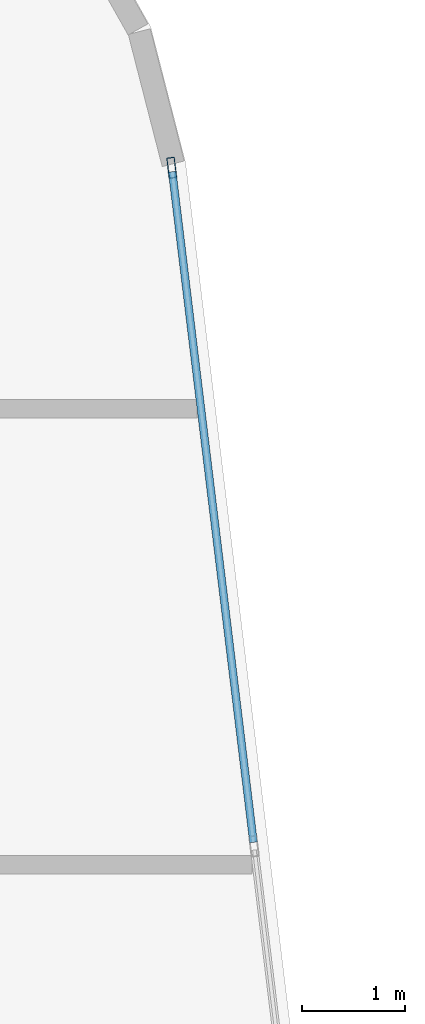
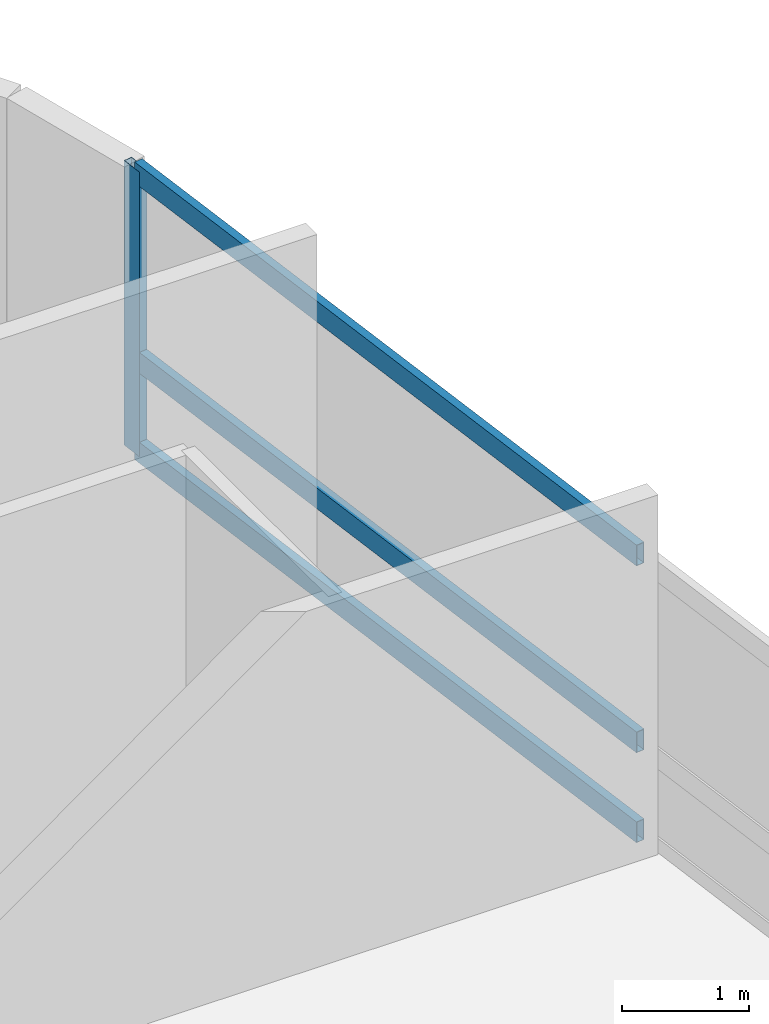
# One storey, part 12 of 23: 4 members, 1 element without a shape of its own.
"""IFC4 building model written with IfcOpenShell, lengths in metres."""

from ifc_helpers import new_model, si_unit, direction, frame, origin, origin_2d, place, context, subcontext, project, spatial, hollow_rectangle, extrude, material, layer, layer_set, material_profile, profile_set, type_object, element, aggregate, save


model = new_model("IFC4")

# Units and contexts
model_context = context("Model", 3, precision=1e-05, world=origin(), true_north=direction((0.0, 1.0)))
body_context = subcontext(model_context, "Body", "Model", "MODEL_VIEW")
ifc_project = project(units=[si_unit("LENGTHUNIT", "METRE"), si_unit("AREAUNIT", "SQUARE_METRE"), si_unit("VOLUMEUNIT", "CUBIC_METRE"), si_unit("PLANEANGLEUNIT", "RADIAN"), si_unit("MASSUNIT", "GRAM", prefix="KILO")], contexts=[model_context])

# Site, building, storey
site_placement = place(None, origin())
site = spatial("IfcSite", under=ifc_project, at=site_placement, CompositionType="ELEMENT")
building_placement = place(site_placement, origin())
building = spatial("IfcBuilding", under=site, at=building_placement, Name="Varnelok Gate Tower", CompositionType="ELEMENT")
storey_placement = place(building_placement, frame((0.0, 0.0, 200.5)))
storey = spatial("IfcBuildingStorey", under=building, at=storey_placement, Name="L51", CompositionType="ELEMENT", Elevation=200.5)

# Curtain wall, members
ifc_material = material(Name="Anodized Aluminum Alloy 6063-T6", Category="aluminium")
ifc_layer = layer(ifc_material, 0.179931640625)
ifc_layer_set = layer_set([ifc_layer], Name="Anodized Aluminum Alloy 6063-T6")
curtain_wall_type = type_object("IfcCurtainWallType", Name="CW4-RESIDENCE-VISION", PredefinedType="USERDEFINED", material=ifc_layer_set)
curtain_wall_placement = place(storey_placement, origin())
curtain_wall = element("IfcCurtainWall", 1, at=curtain_wall_placement, inside=storey, type_object=curtain_wall_type, Name="L51 East End Vision Curtain Wall", ObjectType="UNITISED CURTAIN WALL", PredefinedType="USERDEFINED")
ifc_material_profile_1 = material_profile(ifc_material, hollow_rectangle(XDim=0.074951171875, YDim=0.199951171875, WallThickness=0.00390625, at=origin_2d()), Name="ALU200X75X4")
ifc_profile_set_1 = profile_set([ifc_material_profile_1], Name="Anodized Aluminum Alloy 6063-T6")
member_type_1 = type_object("IfcMemberType", Name="CW-MULL-200", PredefinedType="MULLION", material=ifc_profile_set_1)
member_1_placement = place(storey_placement, frame((72.09912109375, 46.07275390625, 0.0), z_axis=(0.0, 0.0, 1.0), x_axis=(0.992732188751, 0.120344511371, 0.0)))
member_1 = element("IfcMember", 2, at=member_1_placement, type_object=member_type_1, Name="CW4 mullion 1", PredefinedType="MULLION", context=body_context, shape_type="SweptSolid", body=[
    extrude(hollow_rectangle(XDim=0.074951171875, YDim=0.199951171875, WallThickness=0.00390625, at=origin_2d()), origin(), (0.0, 0.0, 1.0), 2.72998046875),
])
ifc_material_profile_2 = material_profile(ifc_material, hollow_rectangle(XDim=0.074951171875, YDim=0.199951171875, WallThickness=0.00390625, at=origin_2d()), Name="ALU200X75X4")
ifc_profile_set_2 = profile_set([ifc_material_profile_2], Name="Anodized Aluminum Alloy 6063-T6")
member_type_2 = type_object("IfcMemberType", Name="CW-TRAN-200", PredefinedType="USERDEFINED", material=ifc_profile_set_2)
member_2_placement = place(storey_placement, frame((72.103759765625, 46.035400390625, 0.03759765625), z_axis=(0.120332477695, -0.992733647466, 0.0), x_axis=(0.992733647466, 0.120332477695, 0.0)))
member_2 = element("IfcMember", 3, at=member_2_placement, type_object=member_type_2, Name="CW4 transom 1.1", ObjectType="TRANSOM", PredefinedType="USERDEFINED", context=body_context, shape_type="SweptSolid", body=[
    extrude(hollow_rectangle(XDim=0.074951171875, YDim=0.199951171875, WallThickness=0.00390625, at=origin_2d()), origin(), (0.0, 0.0, 1.0), 6.5673828125),
])
member_3_placement = place(storey_placement, frame((72.103759765625, 46.035400390625, 0.89990234375), z_axis=(0.120332477695, -0.992733647466, 0.0), x_axis=(0.992733647466, 0.120332477695, 0.0)))
member_3 = element("IfcMember", 4, at=member_3_placement, type_object=member_type_2, Name="CW4 transom 1.2", ObjectType="TRANSOM", PredefinedType="USERDEFINED", context=body_context, shape_type="SweptSolid", body=[
    extrude(hollow_rectangle(XDim=0.074951171875, YDim=0.199951171875, WallThickness=0.00390625, at=origin_2d()), origin(), (0.0, 0.0, 1.0), 6.5673828125),
])
member_4_placement = place(storey_placement, frame((72.103759765625, 46.035400390625, 2.6923828125), z_axis=(0.120332477695, -0.992733647466, 0.0), x_axis=(0.992733647466, 0.120332477695, 0.0)))
member_4 = element("IfcMember", 5, at=member_4_placement, type_object=member_type_2, Name="CW4 transom 1.3", ObjectType="TRANSOM", PredefinedType="USERDEFINED", context=body_context, shape_type="SweptSolid", body=[
    extrude(hollow_rectangle(XDim=0.074951171875, YDim=0.199951171875, WallThickness=0.00390625, at=origin_2d()), origin(), (0.0, 0.0, 1.0), 6.5673828125),
])
aggregate(curtain_wall, [member_1, member_2, member_3, member_4])

save(model, "model.ifc")
